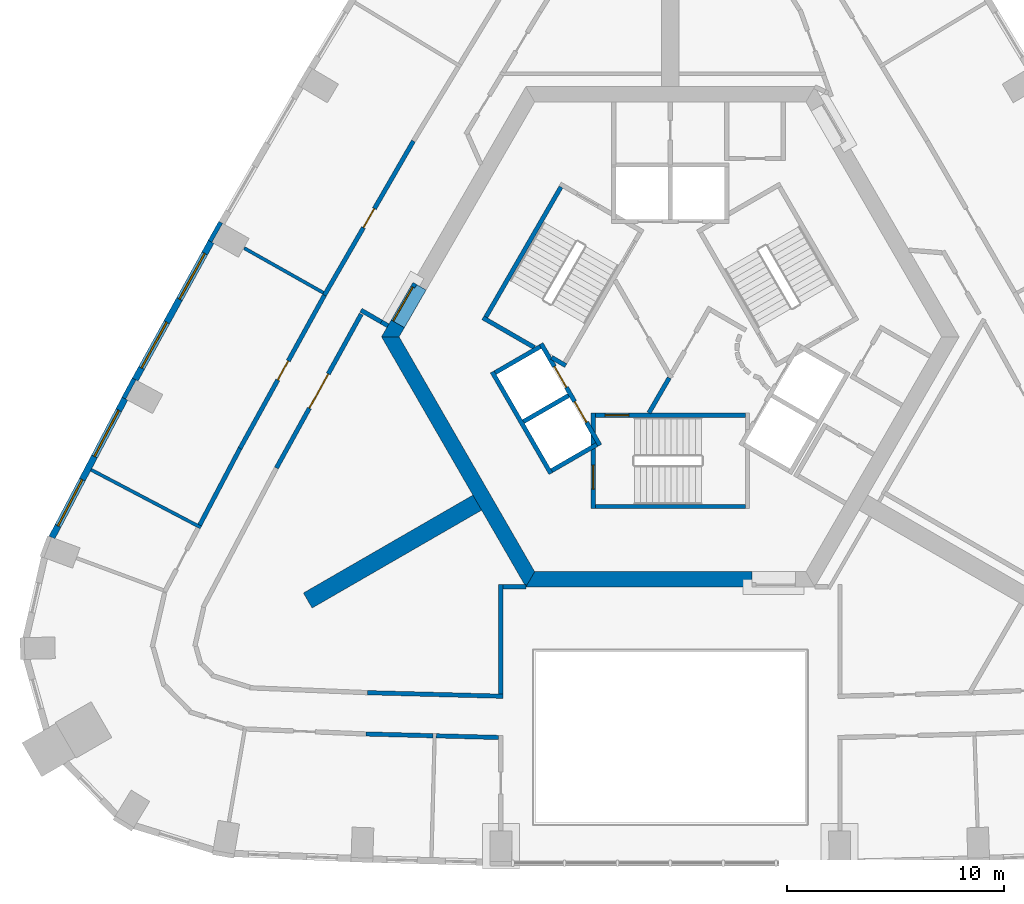
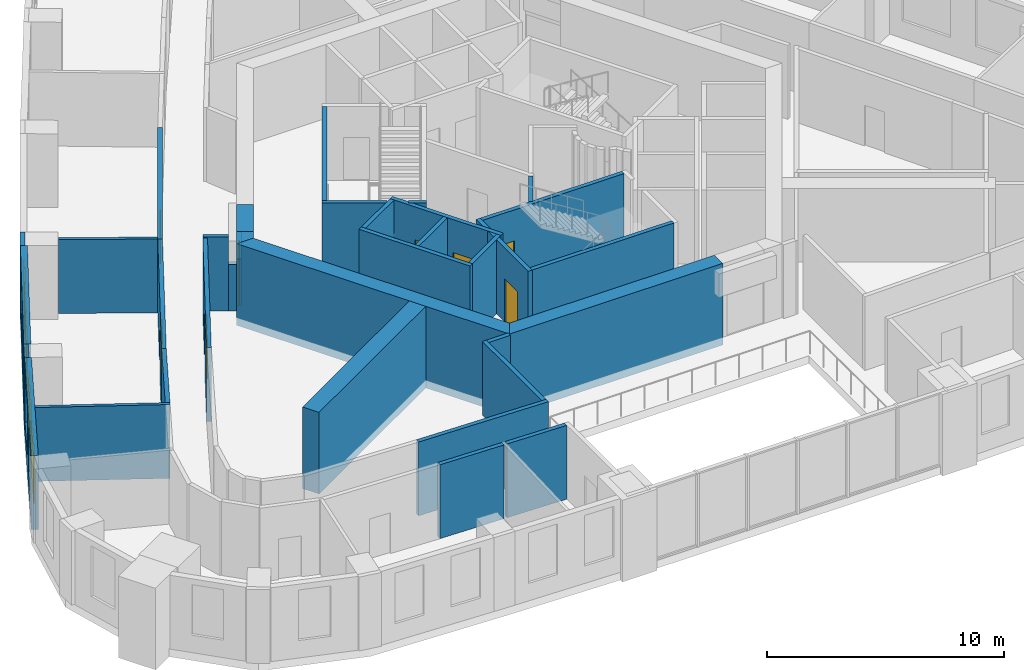
# One storey, part 4 of 11: 35 walls, 8 doors, 4 windows, 12 openings.
"""IFC4 building model written with IfcOpenShell, lengths in metres."""

import ifcopenshell
import ifcopenshell.guid

model = None  # the IFC model being written
_history = None  # IfcOwnerHistory: only IFC2X3 demands one
_inside = {}  # id of a spatial element -> (the spatial element, [elements in it])
_under = {}  # id of a project, library or spatial element -> (it, [spatial elements below it])
_declared = {}  # id of a project -> (the project, [libraries it declares])
_typed = {}  # id of a type object -> (the type object, [elements of that type])
_made_of = {}  # id of a material, layer set ... -> (it, [elements and type objects made of it])


def new_model(schema):
    """Start an empty IFC model of exactly this schema.

    Asked for "IFC4X3", IfcOpenShell would pick the latest addendum, in which some entities
    have other attributes; the version numbers below select the first issue.
    IFC2X3 requires an IfcOwnerHistory on every rooted entity: one is made here for all.
    """
    global model, _history
    if schema == "IFC4X3":
        model = ifcopenshell.file(schema_version=(4, 3, 0, 0))
    else:
        model = ifcopenshell.file(schema=schema)
    _inside.clear()
    _under.clear()
    _declared.clear()
    _typed.clear()
    _made_of.clear()
    _history = None
    if model.schema == "IFC2X3":
        org = make("IfcOrganization", Name="unknown")
        user = make(
            "IfcPersonAndOrganization",
            ThePerson=make("IfcPerson", FamilyName="unknown"),
            TheOrganization=org,
        )
        app = make(
            "IfcApplication",
            ApplicationDeveloper=org,
            Version="unknown",
            ApplicationFullName="unknown",
            ApplicationIdentifier="unknown",
        )
        _history = make(
            "IfcOwnerHistory",
            OwningUser=user,
            OwningApplication=app,
            ChangeAction="ADDED",
            CreationDate=0,
        )
    return model


def make(cls, **values):
    """One entity of the class cls with the attributes given. An attribute that is None is left unset."""
    return model.create_entity(
        cls, **{name: value for name, value in values.items() if value is not None}
    )


def rooted(cls, **values):
    """An entity with a GlobalId (a new one), such as an element, a storey or a relation."""
    return make(cls, GlobalId=ifcopenshell.guid.new(), OwnerHistory=_history, **values)


def si_unit(unit_type, name, prefix=None):
    """IfcSIUnit, for example si_unit("LENGTHUNIT", "METRE", prefix="MILLI")."""
    return make("IfcSIUnit", UnitType=unit_type, Prefix=prefix, Name=name)


def assignment(units):
    """IfcUnitAssignment: the units of a project."""
    return None if units is None else make("IfcUnitAssignment", Units=units)


def point(xyz):
    """IfcCartesianPoint."""
    return None if xyz is None else make("IfcCartesianPoint", Coordinates=xyz)


def direction(xyz):
    """IfcDirection."""
    return None if xyz is None else make("IfcDirection", DirectionRatios=xyz)


def frame(location, z_axis=None, x_axis=None):
    """IfcAxis2Placement3D, a coordinate frame: its origin and axes. An axis left out is left unset."""
    return make(
        "IfcAxis2Placement3D",
        Location=point(location),
        Axis=direction(z_axis),
        RefDirection=direction(x_axis),
    )


def frame_2d(location, x_axis=None):
    """IfcAxis2Placement2D, a coordinate frame in the plane: its origin and x axis."""
    return make(
        "IfcAxis2Placement2D", Location=point(location), RefDirection=direction(x_axis)
    )


def origin():
    """The frame at (0, 0, 0) with its axes left unset."""
    return frame((0.0, 0.0, 0.0))


def place(relative_to, where):
    """IfcLocalPlacement: puts the frame where relative to a parent placement (None: the world)."""
    return make(
        "IfcLocalPlacement", PlacementRelTo=relative_to, RelativePlacement=where
    )


def context(
    kind, dimensions, precision=None, world=None, true_north=None, identifier=None
):
    """IfcGeometricRepresentationContext, for example the 3D "Model" context."""
    return make(
        "IfcGeometricRepresentationContext",
        ContextIdentifier=identifier,
        ContextType=kind,
        CoordinateSpaceDimension=dimensions,
        Precision=precision,
        WorldCoordinateSystem=world,
        TrueNorth=true_north,
    )


def subcontext(parent, identifier, kind, view, scale=None):
    """IfcGeometricRepresentationSubContext, for example "Body" below "Model"."""
    return make(
        "IfcGeometricRepresentationSubContext",
        ContextIdentifier=identifier,
        ContextType=kind,
        ParentContext=parent,
        TargetScale=scale,
        TargetView=view,
    )


def project(units=None, contexts=None):
    """IfcProject with its units and contexts."""
    return rooted(
        "IfcProject",
        Name="project",
        RepresentationContexts=contexts,
        UnitsInContext=assignment(units),
    )


def spatial(cls, under=None, at=None, **own):
    """A site, building, storey or space (cls), placed at a placement, below another one or the project."""
    s = rooted(cls, ObjectPlacement=at, **own)
    if under is not None:
        _under.setdefault(under.id(), (under, []))[1].append(s)
    return s


def polyline(points):
    """IfcPolyline through the points."""
    return make("IfcPolyline", Points=[point(p) for p in points])


def profile(cls, at=None, kind="AREA", **sizes):
    """A parametric profile (cls). Its sizes go by their IFC names, for example OverallWidth=200.0."""
    return make(cls, ProfileType=kind, Position=at, **sizes)


def rectangle(**sizes):
    """IfcRectangleProfileDef."""
    return profile("IfcRectangleProfileDef", **sizes)


def outline(outer, holes=None, kind="AREA"):
    """IfcArbitraryClosedProfileDef: a profile drawn as a closed curve; with holes, ...WithVoids."""
    if holes is None:
        return make("IfcArbitraryClosedProfileDef", ProfileType=kind, OuterCurve=outer)
    return make(
        "IfcArbitraryProfileDefWithVoids",
        ProfileType=kind,
        OuterCurve=outer,
        InnerCurves=holes,
    )


def extrude(swept, where, along, depth):
    """IfcExtrudedAreaSolid: the profile swept, set in the frame where, extruded along a direction by depth."""
    return make(
        "IfcExtrudedAreaSolid",
        SweptArea=swept,
        Position=where,
        ExtrudedDirection=direction(along),
        Depth=depth,
    )


def shape(context_of_items, identifier, shape_type, items):
    """IfcShapeRepresentation: the items that make up one representation, for example the "Body"."""
    return make(
        "IfcShapeRepresentation",
        ContextOfItems=context_of_items,
        RepresentationIdentifier=identifier,
        RepresentationType=shape_type,
        Items=items,
    )


def material(Name=None, Category=None):
    """IfcMaterial."""
    return make("IfcMaterial", Name=Name, Category=Category)


def layer(
    of_material, thickness, ventilated=None, Name=None, Category=None, Priority=None
):
    """IfcMaterialLayer: one layer of a wall or slab, of a material (None: an air gap)."""
    return make(
        "IfcMaterialLayer",
        Material=of_material,
        LayerThickness=thickness,
        IsVentilated=ventilated,
        Name=Name,
        Category=Category,
        Priority=Priority,
    )


def layer_set(layers, Name=None):
    """IfcMaterialLayerSet."""
    return make("IfcMaterialLayerSet", MaterialLayers=layers, LayerSetName=Name)


def made_of(thing, what):
    """Note that an element or type object is made of a material, layer set ...; save() writes the relation."""
    if what is not None:
        _made_of.setdefault(what.id(), (what, []))[1].append(thing)
    return thing


def type_object(cls, material=None, **own):
    """A type object (cls), such as IfcWallType, which elements share."""
    return made_of(rooted(cls, **own), material)


def element(
    cls,
    number,
    at=None,
    inside=None,
    cuts=None,
    type_object=None,
    material=None,
    context=None,
    identifier="Body",
    shape_type=None,
    held_by="IfcProductDefinitionShape",
    body=None,
    shapes=None,
    **own,
):
    """One element of the class cls, such as IfcWall. Its Tag is "e" and its number.

    at: its placement. inside: the storey or other place that contains it. cuts: it is an
    opening in that element (IfcRelVoidsElement). A single representation is given by context,
    identifier, shape_type and body (its items); several are given by shapes. held_by: the class
    of the entity that holds the representations. save() writes the other relations.
    """
    e = rooted(cls, Tag="e%d" % number, ObjectPlacement=at, **own)
    if body is not None:
        shapes = [shape(context, identifier, shape_type, body)]
    if shapes is not None:
        e.Representation = make(held_by, Representations=shapes)
    if inside is not None:
        _inside.setdefault(inside.id(), (inside, []))[1].append(e)
    if cuts is not None:
        rooted(
            "IfcRelVoidsElement", RelatingBuildingElement=cuts, RelatedOpeningElement=e
        )
    if type_object is not None:
        _typed.setdefault(type_object.id(), (type_object, []))[1].append(e)
    return made_of(e, material)


def fill(opening, filler):
    """IfcRelFillsElement: the door or window that sits in an opening."""
    return rooted(
        "IfcRelFillsElement",
        RelatingOpeningElement=opening,
        RelatedBuildingElement=filler,
    )


def aggregate(whole, parts):
    """IfcRelAggregates: a whole, such as a stair, and the parts it consists of."""
    return rooted("IfcRelAggregates", RelatingObject=whole, RelatedObjects=parts)


def save(model, path):
    """Write the relations noted so far, then the file.

    IfcRelAggregates (storeys below a building ...), IfcRelContainedInSpatialStructure (elements
    in a storey), IfcRelDefinesByType, IfcRelAssociatesMaterial and IfcRelDeclares: one each for
    every whole, place, type object, material and project.
    """
    for whole, parts in _under.values():
        aggregate(whole, parts)
    for where, things in _inside.values():
        rooted(
            "IfcRelContainedInSpatialStructure",
            RelatedElements=things,
            RelatingStructure=where,
        )
    for kind, things in _typed.values():
        rooted("IfcRelDefinesByType", RelatedObjects=things, RelatingType=kind)
    for what, things in _made_of.values():
        rooted("IfcRelAssociatesMaterial", RelatedObjects=things, RelatingMaterial=what)
    for by, libraries in _declared.values():
        rooted("IfcRelDeclares", RelatingContext=by, RelatedDefinitions=libraries)
    model.write(path)


model = new_model("IFC4")

# Units and contexts
model_context = context("Model", 3, precision=1e-05, world=origin(), true_north=direction((0.0, 1.0)))
body_context = subcontext(model_context, "Body", "Model", "MODEL_VIEW")
ifc_project = project(units=[si_unit("LENGTHUNIT", "METRE"), si_unit("AREAUNIT", "SQUARE_METRE"), si_unit("VOLUMEUNIT", "CUBIC_METRE"), si_unit("PLANEANGLEUNIT", "RADIAN"), si_unit("MASSUNIT", "GRAM", prefix="KILO")], contexts=[model_context])

# Site, building, storey
site_placement = place(None, origin())
site = spatial("IfcSite", under=ifc_project, at=site_placement, CompositionType="ELEMENT")
building_placement = place(site_placement, origin())
building = spatial("IfcBuilding", under=site, at=building_placement, Name="Entoto Arch Interchange Tower", CompositionType="ELEMENT")
storey_placement = place(building_placement, frame((0.0, 0.0, 194.0)))
storey = spatial("IfcBuildingStorey", under=building, at=storey_placement, Name="L43", CompositionType="ELEMENT", Elevation=194.0)

# Wall
ifc_material_1 = material(Name="Concrete C50/60", Category="concrete")
ifc_layer_1 = layer(ifc_material_1, 0.800048828125)
ifc_layer_set_1 = layer_set([ifc_layer_1], Name="Concrete C50/60")
wall_type_1 = type_object("IfcWallType", Name="Buttress wall 800 C50/60", PredefinedType="SHEAR", material=ifc_layer_set_1)
wall_1_placement = place(storey_placement, frame((-8.876953125, -5.125, -0.39990234375), z_axis=(0.0, 0.0, 1.0), x_axis=(-0.866017533419, -0.500013631625, 0.0)))
element("IfcWall", 1, at=wall_1_placement, inside=storey, type_object=wall_type_1, Name="Buttress wall SW L43", PredefinedType="SHEAR", context=body_context, shape_type="SweptSolid", body=[
    extrude(rectangle(XDim=8.999755859375, YDim=0.800048828125, at=frame_2d((4.5, 0.0))), origin(), (0.0, 0.0, 1.0), 4.199951171875),
])

# Wall, opening, door
ifc_material_2 = material(Name="Reinforced concrete C40/50", Category="concrete")
ifc_layer_2 = layer(ifc_material_2, 0.199951171875)
ifc_layer_set_2 = layer_set([ifc_layer_2], Name="Reinforced concrete C40/50")
wall_type_2 = type_object("IfcWallType", Name="CORE GAP INFILL WALL", PredefinedType="PARTITIONING", material=ifc_layer_set_2)
wall_2_placement = place(storey_placement, frame((-11.7470703125, 4.951904296875, 0.0), z_axis=(0.0, 0.0, 1.0), x_axis=(-0.50002537861, -0.866010750942, 0.0)))
wall_2 = element("IfcWall", 2, at=wall_2_placement, inside=storey, type_object=wall_type_2, Name="wall:L43:gap3", PredefinedType="PARTITIONING", context=body_context, shape_type="SweptSolid", body=[
    extrude(rectangle(XDim=2.0, YDim=0.199951171875, at=frame_2d((1.0, 0.0))), origin(), (0.0, 0.0, 1.0), 2.39990234375),
])
opening_1_placement = place(wall_2_placement, frame((0.18994140625, 0.0, 0.0)))
opening_1 = element("IfcOpeningElement", 3, at=opening_1_placement, cuts=wall_2, Name="Opening L43-D93", PredefinedType="OPENING", context=body_context, shape_type="SweptSolid", body=[
    extrude(rectangle(XDim=1.800048828125, YDim=2.10009765625, at=frame_2d((0.89990234375, 1.050048828125))), frame((0.0, 0.10986328125, 0.0), z_axis=(0.0, -1.0, 0.0), x_axis=(1.0, 0.0, 0.0)), (0.0, 0.0, 1.0), 0.219970703125),
])
ifc_material_3 = material(Name="Fire-rated Steel S235 door and frame", Category="steel")
door_type_1 = type_object("IfcDoorType", Name="DOOR FD-18 1800x2100", OperationType="DOUBLE_DOOR_SINGLE_SWING", PredefinedType="DOOR", material=ifc_material_3)
door_1_placement = place(opening_1_placement, origin())
door_1 = element("IfcDoor", 4, at=door_1_placement, inside=storey, type_object=door_type_1, Name="door:L43:gap3", OperationType="DOUBLE_DOOR_SINGLE_SWING", OverallHeight=2.10009765625, OverallWidth=1.800048828125, PredefinedType="DOOR", context=body_context, shape_type="SweptSolid", body=[
    extrude(rectangle(XDim=1.800048828125, YDim=2.10009765625, at=frame_2d((0.89990234375, 1.050048828125))), frame((0.0, 0.02490234375, 0.0), z_axis=(0.0, -1.0, 0.0), x_axis=(1.0, 0.0, 0.0)), (0.0, 0.0, 1.0), 0.050048828125),
])
fill(opening_1, door_1)

# Walls
ifc_layer_3 = layer(ifc_material_1, 0.699951171875)
ifc_layer_set_3 = layer_set([ifc_layer_3], Name="Concrete C50/60")
wall_type_3 = type_object("IfcWallType", Name="Core wall 700 C50/60", PredefinedType="SHEAR", material=ifc_layer_set_3)
wall_3_placement = place(storey_placement, frame((0.0, 0.0, -0.39990234375)))
element("IfcWall", 5, at=wall_3_placement, inside=storey, type_object=wall_type_3, Name="Core wall NW L43", PredefinedType="SHEAR", context=body_context, shape_type="SweptSolid", body=[
    extrude(outline(polyline([(-12.22802734375, 2.919921875), (-12.833984375, 3.27001953125), (-13.279052734375, 2.5), (-12.470947265625, 2.5), (-12.22802734375, 2.919921875)])), origin(), (0.0, 0.0, 1.0), 4.199951171875),
])
wall_4_placement = place(storey_placement, frame((0.0, 0.0, 3.60009765625)))
element("IfcWall", 6, at=wall_4_placement, inside=storey, type_object=wall_type_3, Name="Core wall lintel NW L43", PredefinedType="SHEAR", context=body_context, shape_type="SweptSolid", body=[
    extrude(outline(polyline([(-12.833984375, 3.27001953125), (-12.22802734375, 2.919921875), (-11.22802734375, 4.652099609375), (-11.833984375, 5.001953125), (-12.833984375, 3.27001953125)])), origin(), (0.0, 0.0, 1.0), 0.199951171875),
])
wall_5_placement = place(storey_placement, frame((0.0, 0.0, -0.39990234375)))
element("IfcWall", 7, at=wall_5_placement, inside=storey, type_object=wall_type_3, Name="Core wall SW L43", PredefinedType="SHEAR", context=body_context, shape_type="SweptSolid", body=[
    extrude(outline(polyline([(-13.279052734375, 2.5), (-6.639892578125, -9.0), (-6.235107421875, -8.300048828125), (-12.470947265625, 2.5), (-13.279052734375, 2.5)])), origin(), (0.0, 0.0, 1.0), 4.199951171875),
])
wall_6_placement = place(storey_placement, frame((0.0, 0.0, -0.39990234375)))
element("IfcWall", 8, at=wall_6_placement, inside=storey, type_object=wall_type_3, Name="Core wall S L43", PredefinedType="SHEAR", context=body_context, shape_type="SweptSolid", body=[
    extrude(outline(polyline([(3.75, -9.0), (3.75, -8.300048828125), (-6.235107421875, -8.300048828125), (-6.639892578125, -9.0), (3.75, -9.0)])), origin(), (0.0, 0.0, 1.0), 4.199951171875),
])

# Wall, openings, doors
ifc_material_4 = material(Name="Concrete C40/50", Category="concrete")
ifc_layer_4 = layer(ifc_material_4, 0.199951171875)
ifc_layer_set_4 = layer_set([ifc_layer_4], Name="Concrete C40/50")
wall_type_4 = type_object("IfcWallType", Name="LIFT SHAFT WALL 200", PredefinedType="STANDARD", material=ifc_layer_set_4)
wall_7_placement = place(storey_placement, frame((-5.93994140625, 2.18798828125, 0.0), z_axis=(0.0, 0.0, 1.0), x_axis=(0.500034260056, -0.866005622828, 0.0)))
wall_7 = element("IfcWall", 9, at=wall_7_placement, inside=storey, type_object=wall_type_4, Name="Shaft wall SW1 front", PredefinedType="STANDARD", context=body_context, shape_type="SweptSolid", body=[
    extrude(rectangle(XDim=5.3994140625, YDim=0.199951171875, at=frame_2d((2.69970703125, 0.0))), origin(), (0.0, 0.0, 1.0), 3.800048828125),
])
opening_2_placement = place(wall_7_placement, frame((3.074951171875, 0.0, 0.0)))
opening_2 = element("IfcOpeningElement", 10, at=opening_2_placement, cuts=wall_7, Name="Opening LD-HR4-L43", PredefinedType="OPENING", context=body_context, shape_type="SweptSolid", body=[
    extrude(rectangle(XDim=1.10009765625, YDim=2.10009765625, at=frame_2d((0.550048828125, 1.050048828125))), frame((0.0, 0.10986328125, 0.0), z_axis=(0.0, -1.0, 0.0), x_axis=(1.0, 0.0, 0.0)), (0.0, 0.0, 1.0), 0.219970703125),
])
opening_3_placement = place(wall_7_placement, frame((1.22509765625, 0.0, 0.0)))
opening_3 = element("IfcOpeningElement", 11, at=opening_3_placement, cuts=wall_7, Name="Opening LD-FF2-L43", PredefinedType="OPENING", context=body_context, shape_type="SweptSolid", body=[
    extrude(rectangle(XDim=1.10009765625, YDim=2.10009765625, at=frame_2d((0.550048828125, 1.050048828125))), frame((0.0, 0.10986328125, 0.0), z_axis=(0.0, -1.0, 0.0), x_axis=(1.0, 0.0, 0.0)), (0.0, 0.0, 1.0), 0.219970703125),
])
ifc_material_5 = material(Name="Stainless steel 1.4301 panels", Category="steel")
door_type_2 = type_object("IfcDoorType", Name="LIFT LANDING DOOR LD1 1100x2100", OperationType="SLIDING_TO_LEFT", PredefinedType="DOOR", material=ifc_material_5)
door_2_placement = place(opening_2_placement, origin())
door_2 = element("IfcDoor", 12, at=door_2_placement, inside=storey, type_object=door_type_2, Name="Lift landing door HR4 L43", OperationType="SLIDING_TO_LEFT", OverallHeight=2.10009765625, OverallWidth=1.10009765625, PredefinedType="DOOR", context=body_context, shape_type="SweptSolid", body=[
    extrude(rectangle(XDim=1.10009765625, YDim=2.10009765625, at=frame_2d((0.550048828125, 1.050048828125))), frame((0.0, 0.02490234375, 0.0), z_axis=(0.0, -1.0, 0.0), x_axis=(1.0, 0.0, 0.0)), (0.0, 0.0, 1.0), 0.050048828125),
])
fill(opening_2, door_2)
door_3_placement = place(opening_3_placement, origin())
door_3 = element("IfcDoor", 13, at=door_3_placement, inside=storey, type_object=door_type_2, Name="Lift landing door FF2 L43", OperationType="SLIDING_TO_LEFT", OverallHeight=2.10009765625, OverallWidth=1.10009765625, PredefinedType="DOOR", context=body_context, shape_type="SweptSolid", body=[
    extrude(rectangle(XDim=1.10009765625, YDim=2.10009765625, at=frame_2d((0.550048828125, 1.050048828125))), frame((0.0, 0.02490234375, 0.0), z_axis=(0.0, -1.0, 0.0), x_axis=(1.0, 0.0, 0.0)), (0.0, 0.0, 1.0), 0.050048828125),
])
fill(opening_3, door_3)

# Walls
wall_8_placement = place(storey_placement, frame((-8.19189453125, 0.887939453125, 0.0), z_axis=(0.0, 0.0, 1.0), x_axis=(0.500034260056, -0.866005622828, 0.0)))
element("IfcWall", 14, at=wall_8_placement, inside=storey, type_object=wall_type_4, Name="Shaft wall SW1 back", PredefinedType="STANDARD", context=body_context, shape_type="SweptSolid", body=[
    extrude(rectangle(XDim=5.3994140625, YDim=0.199951171875, at=frame_2d((2.69970703125, 0.0))), origin(), (0.0, 0.0, 1.0), 3.800048828125),
])
for number, where, z_axis, x_axis, name in (
    (15, (-5.97705078125, 2.052001953125, 0.0), (0.0, 0.0, 1.0), (-0.865973769406, -0.500089422704, 0.0), "Shaft wall SW1 cross 1"),
    (16, (-4.677001953125, -0.199951171875, 0.0), (0.0, 0.0, 1.0), (-0.865973769406, -0.500089422704, 0.0), "Shaft wall SW1 cross 2"),
):
    element("IfcWall", number, at=place(storey_placement, frame(where, z_axis=z_axis, x_axis=x_axis)), inside=storey, type_object=wall_type_4, Name=name, PredefinedType="STANDARD", context=body_context, shape_type="SweptSolid", body=[
        extrude(rectangle(XDim=2.3994140625, YDim=0.199951171875, at=frame_2d((1.19970703125, 0.0))), origin(), (0.0, 0.0, 1.0), 3.800048828125),
    ])
wall_9_placement = place(storey_placement, frame((-3.376953125, -2.451904296875, 0.0), z_axis=(0.0, 0.0, 1.0), x_axis=(-0.865955154139, -0.50012165622, 0.0)))
element("IfcWall", 17, at=wall_9_placement, inside=storey, type_object=wall_type_4, Name="Shaft wall SW1 cross 3", PredefinedType="STANDARD", context=body_context, shape_type="SweptSolid", body=[
    extrude(rectangle(XDim=2.39990234375, YDim=0.199951171875, at=frame_2d((1.199951171875, 0.0))), origin(), (0.0, 0.0, 1.0), 3.800048828125),
])
ifc_material_6 = material(Name="Gypsum board partition on steel studs", Category="steel")
ifc_layer_5 = layer(ifc_material_6, 0.14990234375)
ifc_layer_set_5 = layer_set([ifc_layer_5], Name="Gypsum board partition on steel studs")
wall_type_5 = type_object("IfcWallType", Name="PARTITION 150", PredefinedType="PARTITIONING", material=ifc_layer_set_5)
wall_10_placement = place(storey_placement, frame((-15.9541015625, 4.52587890625, 0.0), z_axis=(0.0, 0.0, 1.0), x_axis=(-0.870940016277, 0.491389344663, 0.0)))
element("IfcWall", 18, at=wall_10_placement, inside=storey, type_object=wall_type_5, Name="wall:L43:p118", PredefinedType="PARTITIONING", context=body_context, shape_type="SweptSolid", body=[
    extrude(rectangle(XDim=4.180419921875, YDim=0.14990234375, at=frame_2d((2.09033203125, 0.0))), origin(), (0.0, 0.0, 1.0), 3.800048828125),
])
wall_11_placement = place(storey_placement, frame((-21.5849609375, -6.26708984375, 0.0), z_axis=(0.0, 0.0, 1.0), x_axis=(-0.885073333504, 0.465451602554, 0.0)))
element("IfcWall", 19, at=wall_11_placement, inside=storey, type_object=wall_type_5, Name="wall:L43:p119", PredefinedType="PARTITIONING", context=body_context, shape_type="SweptSolid", body=[
    extrude(rectangle(XDim=5.699951171875, YDim=0.14990234375, at=frame_2d((2.85009765625, 0.0))), origin(), (0.0, 0.0, 1.0), 3.800048828125),
])
ifc_layer_6 = layer(ifc_material_6, 0.199951171875)
ifc_layer_set_6 = layer_set([ifc_layer_6], Name="Gypsum board partition on steel studs")
wall_type_6 = type_object("IfcWallType", Name="PARTITION 200", PredefinedType="PARTITIONING", material=ifc_layer_set_6)
wall_12_placement = place(storey_placement, frame((-13.9189453125, -13.863037109375, 0.0), z_axis=(0.0, 0.0, 1.0), x_axis=(0.999652206272, -0.026371698764, 0.0)))
element("IfcWall", 20, at=wall_12_placement, inside=storey, type_object=wall_type_6, Name="wall:L43:p032", PredefinedType="PARTITIONING", context=body_context, shape_type="SweptSolid", body=[
    extrude(rectangle(XDim=6.22119140625, YDim=0.199951171875, at=frame_2d((3.110595703125, 0.0))), origin(), (0.0, 0.0, 1.0), 3.800048828125),
])
wall_13_placement = place(storey_placement, frame((-12.98388671875, 3.010009765625, 0.0), z_axis=(0.0, 0.0, 1.0), x_axis=(-0.866046247233, 0.49996389635, 0.0)))
element("IfcWall", 21, at=wall_13_placement, inside=storey, type_object=wall_type_6, Name="wall:L43:p033", PredefinedType="PARTITIONING", context=body_context, shape_type="SweptSolid", body=[
    extrude(rectangle(XDim=0.35009765625, YDim=0.199951171875, at=frame_2d((0.175048828125, 0.0))), origin(), (0.0, 0.0, 1.0), 2.39990234375),
])

# Wall, opening, door
wall_14_placement = place(storey_placement, frame((-14.212890625, 3.54296875, 0.0), z_axis=(0.0, 0.0, 1.0), x_axis=(-0.482724934882, -0.875772023556, 0.0)))
wall_14 = element("IfcWall", 22, at=wall_14_placement, inside=storey, type_object=wall_type_6, Name="wall:L43:p034", PredefinedType="PARTITIONING", context=body_context, shape_type="SweptSolid", body=[
    extrude(rectangle(XDim=8.077392578125, YDim=0.199951171875, at=frame_2d((4.03857421875, 0.0))), origin(), (0.0, 0.0, 1.0), 3.800048828125),
])
opening_4_placement = place(wall_14_placement, frame((3.138916015625, 0.0, 0.0)))
opening_4 = element("IfcOpeningElement", 23, at=opening_4_placement, cuts=wall_14, Name="Opening L43-D25", PredefinedType="OPENING", context=body_context, shape_type="SweptSolid", body=[
    extrude(rectangle(XDim=1.800048828125, YDim=2.10009765625, at=frame_2d((0.89990234375, 1.050048828125))), frame((0.0, 0.10986328125, 0.0), z_axis=(0.0, -1.0, 0.0), x_axis=(1.0, 0.0, 0.0)), (0.0, 0.0, 1.0), 0.219970703125),
])
ifc_material_7 = material(Name="Timber door leaf in Steel S235 frame", Category="steel")
door_type_3 = type_object("IfcDoorType", Name="DOOR DD-18 1800x2100", OperationType="DOUBLE_DOOR_SINGLE_SWING", PredefinedType="DOOR", material=ifc_material_7)
door_4_placement = place(opening_4_placement, origin())
door_4 = element("IfcDoor", 24, at=door_4_placement, inside=storey, type_object=door_type_3, Name="door:L43:25", OperationType="DOUBLE_DOOR_SINGLE_SWING", OverallHeight=2.10009765625, OverallWidth=1.800048828125, PredefinedType="DOOR", context=body_context, shape_type="SweptSolid", body=[
    extrude(rectangle(XDim=1.800048828125, YDim=2.10009765625, at=frame_2d((0.89990234375, 1.050048828125))), frame((0.0, 0.02490234375, 0.0), z_axis=(0.0, -1.0, 0.0), x_axis=(1.0, 0.0, 0.0)), (0.0, 0.0, 1.0), 0.050048828125),
])
fill(opening_4, door_4)

wall_15_placement = place(storey_placement, frame((-15.905029296875, 4.412109375, 0.0), z_axis=(0.0, 0.0, 1.0), x_axis=(0.5000098125, 0.866019738461, 0.0)))
wall_15 = element("IfcWall", 25, at=wall_15_placement, inside=storey, type_object=wall_type_6, Name="wall:L43:p054", PredefinedType="PARTITIONING", context=body_context, shape_type="SweptSolid", body=[
    extrude(rectangle(XDim=8.187744140625, YDim=0.199951171875, at=frame_2d((4.09375, 0.0))), origin(), (0.0, 0.0, 1.0), 3.800048828125),
])
opening_5_placement = place(wall_15_placement, frame((3.593994140625, 0.0, 0.0)))
opening_5 = element("IfcOpeningElement", 26, at=opening_5_placement, cuts=wall_15, Name="Opening L43-D11", PredefinedType="OPENING", context=body_context, shape_type="SweptSolid", body=[
    extrude(rectangle(XDim=1.0, YDim=2.10009765625, at=frame_2d((0.5, 1.050048828125))), frame((0.0, 0.10986328125, 0.0), z_axis=(0.0, -1.0, 0.0), x_axis=(1.0, 0.0, 0.0)), (0.0, 0.0, 1.0), 0.219970703125),
])
door_type_4 = type_object("IfcDoorType", Name="DOOR DS-10 1000x2100", OperationType="SINGLE_SWING_LEFT", PredefinedType="DOOR", material=ifc_material_7)
door_5_placement = place(opening_5_placement, origin())
door_5 = element("IfcDoor", 27, at=door_5_placement, inside=storey, type_object=door_type_4, Name="door:L43:11", OperationType="SINGLE_SWING_LEFT", OverallHeight=2.10009765625, OverallWidth=1.0, PredefinedType="DOOR", context=body_context, shape_type="SweptSolid", body=[
    extrude(rectangle(XDim=1.0, YDim=2.10009765625, at=frame_2d((0.5, 1.050048828125))), frame((0.0, 0.02490234375, 0.0), z_axis=(0.0, -1.0, 0.0), x_axis=(1.0, 0.0, 0.0)), (0.0, 0.0, 1.0), 0.050048828125),
])
fill(opening_5, door_5)

# Wall
wall_16_placement = place(storey_placement, frame((-21.637939453125, -6.154052734375, 0.0), z_axis=(0.0, 0.0, 1.0), x_axis=(0.465392595139, 0.885104362428, 0.0)))
element("IfcWall", 28, at=wall_16_placement, inside=storey, type_object=wall_type_6, Name="wall:L43:p056", PredefinedType="PARTITIONING", context=body_context, shape_type="SweptSolid", body=[
    extrude(rectangle(XDim=3.981689453125, YDim=0.199951171875, at=frame_2d((1.99072265625, 0.0))), origin(), (0.0, 0.0, 1.0), 3.800048828125),
])

# Wall, opening, door
wall_17_placement = place(storey_placement, frame((-19.784912109375, -2.6298828125, 0.0), z_axis=(0.0, 0.0, 1.0), x_axis=(0.482817232578, 0.875721142788, 0.0)))
wall_17 = element("IfcWall", 29, at=wall_17_placement, inside=storey, type_object=wall_type_6, Name="wall:L43:p057", PredefinedType="PARTITIONING", context=body_context, shape_type="SweptSolid", body=[
    extrude(rectangle(XDim=8.0400390625, YDim=0.199951171875, at=frame_2d((4.02001953125, 0.0))), origin(), (0.0, 0.0, 1.0), 3.800048828125),
])
opening_6_placement = place(wall_17_placement, frame((3.594970703125, 0.0, 0.0)))
opening_6 = element("IfcOpeningElement", 30, at=opening_6_placement, cuts=wall_17, Name="Opening L43-D12", PredefinedType="OPENING", context=body_context, shape_type="SweptSolid", body=[
    extrude(rectangle(XDim=1.0, YDim=2.10009765625, at=frame_2d((0.5, 1.050048828125))), frame((0.0, 0.10986328125, 0.0), z_axis=(0.0, -1.0, 0.0), x_axis=(1.0, 0.0, 0.0)), (0.0, 0.0, 1.0), 0.219970703125),
])
door_6_placement = place(opening_6_placement, origin())
door_6 = element("IfcDoor", 31, at=door_6_placement, inside=storey, type_object=door_type_4, Name="door:L43:12", OperationType="SINGLE_SWING_LEFT", OverallHeight=2.10009765625, OverallWidth=1.0, PredefinedType="DOOR", context=body_context, shape_type="SweptSolid", body=[
    extrude(rectangle(XDim=1.0, YDim=2.10009765625, at=frame_2d((0.5, 1.050048828125))), frame((0.0, 0.02490234375, 0.0), z_axis=(0.0, -1.0, 0.0), x_axis=(1.0, 0.0, 0.0)), (0.0, 0.0, 1.0), 0.050048828125),
])
fill(opening_6, door_6)

# Walls
wall_18_placement = place(storey_placement, frame((-10.912109375, -15.843017578125, 0.0), z_axis=(0.0, 0.0, 1.0), x_axis=(-0.999652047394, 0.026377720532, 0.0)))
element("IfcWall", 32, at=wall_18_placement, inside=storey, type_object=wall_type_6, Name="wall:L43:p063", PredefinedType="PARTITIONING", context=body_context, shape_type="SweptSolid", body=[
    extrude(rectangle(XDim=3.07275390625, YDim=0.199951171875, at=frame_2d((1.536376953125, 0.0))), origin(), (0.0, 0.0, 1.0), 3.800048828125),
])
wall_19_placement = place(storey_placement, frame((-7.89990234375, -15.922119140625, 0.0), z_axis=(0.0, 0.0, 1.0), x_axis=(-0.999655039681, 0.026264075085, 0.0)))
element("IfcWall", 33, at=wall_19_placement, inside=storey, type_object=wall_type_6, Name="wall:L43:p065", PredefinedType="PARTITIONING", context=body_context, shape_type="SweptSolid", body=[
    extrude(rectangle(XDim=2.863037109375, YDim=0.199951171875, at=frame_2d((1.431640625, 0.0))), origin(), (0.0, 0.0, 1.0), 3.800048828125),
])
wall_20_placement = place(storey_placement, frame((-0.98193359375, -1.0, 0.0), z_axis=(0.0, 0.0, 1.0), x_axis=(0.50024047865, 0.865886518847, 0.0)))
element("IfcWall", 34, at=wall_20_placement, inside=storey, type_object=wall_type_6, Name="wall:L43:p082", PredefinedType="PARTITIONING", context=body_context, shape_type="SweptSolid", body=[
    extrude(rectangle(XDim=1.86279296875, YDim=0.199951171875, at=frame_2d((0.931396484375, 0.0))), origin(), (0.0, 0.0, 1.0), 3.800048828125),
])
wall_21_placement = place(storey_placement, frame((-7.800048828125, -13.924072265625, 0.0), z_axis=(0.0, 0.0, 1.0), x_axis=(0.0, 1.0, 0.0)))
element("IfcWall", 35, at=wall_21_placement, inside=storey, type_object=wall_type_6, Name="wall:L43:p095", PredefinedType="PARTITIONING", context=body_context, shape_type="SweptSolid", body=[
    extrude(rectangle(XDim=5.025146484375, YDim=0.199951171875, at=frame_2d((2.5126953125, 0.0))), origin(), (0.0, 0.0, 1.0), 3.800048828125),
])
wall_22_placement = place(storey_placement, frame((-7.699951171875, -8.9990234375, 0.0), z_axis=(0.0, 0.0, 1.0), x_axis=(1.0, 0.0, 0.0)))
element("IfcWall", 36, at=wall_22_placement, inside=storey, type_object=wall_type_6, Name="wall:L43:p096", PredefinedType="PARTITIONING", context=body_context, shape_type="SweptSolid", body=[
    extrude(rectangle(XDim=1.058837890625, YDim=0.199951171875, at=frame_2d((0.529296875, 0.0))), origin(), (0.0, 0.0, 1.0), 3.800048828125),
])
wall_23_placement = place(storey_placement, frame((-13.287109375, 3.18505859375, 0.0), z_axis=(0.0, 0.0, 1.0), x_axis=(-0.866121626761, 0.499833299868, 0.0)))
element("IfcWall", 37, at=wall_23_placement, inside=storey, type_object=wall_type_6, Name="wall:L43:p033", PredefinedType="PARTITIONING", context=body_context, shape_type="SweptSolid", body=[
    extrude(rectangle(XDim=1.080322265625, YDim=0.199951171875, at=frame_2d((0.5400390625, 0.0))), origin(), (0.0, 0.0, 1.0), 3.800048828125),
])

# Wall, opening, door
ifc_layer_7 = layer(ifc_material_4, 0.199951171875)
ifc_layer_set_7 = layer_set([ifc_layer_7], Name="Concrete C40/50")
wall_type_7 = type_object("IfcWallType", Name="STAIR ENCLOSURE WALL 200", PredefinedType="STANDARD", material=ifc_layer_set_7)
wall_24_placement = place(storey_placement, frame((-3.550048828125, -1.0, 0.0), z_axis=(0.0, 0.0, 1.0), x_axis=(0.0, -1.0, 0.0)))
wall_24 = element("IfcWall", 38, at=wall_24_placement, inside=storey, type_object=wall_type_7, Name="Stair wall ST-S near", PredefinedType="STANDARD", context=body_context, shape_type="SweptSolid", body=[
    extrude(rectangle(XDim=4.39990234375, YDim=0.199951171875, at=frame_2d((2.199951171875, 0.0))), origin(), (0.0, 0.0, 1.0), 3.800048828125),
])
opening_7_placement = place(wall_24_placement, frame((2.39990234375, 0.0, 0.0)))
opening_7 = element("IfcOpeningElement", 39, at=opening_7_placement, cuts=wall_24, Name="Opening SD-ST-S-L43-E", PredefinedType="OPENING", context=body_context, shape_type="SweptSolid", body=[
    extrude(rectangle(XDim=1.10009765625, YDim=2.199951171875, at=frame_2d((0.550048828125, 1.10009765625))), frame((0.0, 0.10986328125, 0.0), z_axis=(0.0, -1.0, 0.0), x_axis=(1.0, 0.0, 0.0)), (0.0, 0.0, 1.0), 0.219970703125),
])
ifc_material_8 = material(Name="Steel S235", Category="steel")
door_type_5 = type_object("IfcDoorType", Name="STAIR DOOR SD1 1100x2200", OperationType="SINGLE_SWING_LEFT", PredefinedType="DOOR", material=ifc_material_8)
door_7_placement = place(opening_7_placement, origin())
door_7 = element("IfcDoor", 40, at=door_7_placement, inside=storey, type_object=door_type_5, Name="Stair door ST-S L43 end", OperationType="SINGLE_SWING_LEFT", OverallHeight=2.199951171875, OverallWidth=1.10009765625, PredefinedType="DOOR", context=body_context, shape_type="SweptSolid", body=[
    extrude(rectangle(XDim=1.10009765625, YDim=2.199951171875, at=frame_2d((0.550048828125, 1.10009765625))), frame((0.0, 0.02490234375, 0.0), z_axis=(0.0, -1.0, 0.0), x_axis=(1.0, 0.0, 0.0)), (0.0, 0.0, 1.0), 0.050048828125),
])
fill(opening_7, door_7)

wall_25_placement = place(storey_placement, frame((-3.449951171875, -1.10009765625, 0.0), z_axis=(0.0, 0.0, 1.0), x_axis=(1.0, 0.0, 0.0)))
wall_25 = element("IfcWall", 41, at=wall_25_placement, inside=storey, type_object=wall_type_7, Name="Stair wall ST-S hall", PredefinedType="STANDARD", context=body_context, shape_type="SweptSolid", body=[
    extrude(rectangle(XDim=6.89990234375, YDim=0.199951171875, at=frame_2d((3.449951171875, 0.0))), origin(), (0.0, 0.0, 1.0), 3.800048828125),
])
opening_8_placement = place(wall_25_placement, frame((0.449951171875, 0.0, 0.0)))
opening_8 = element("IfcOpeningElement", 42, at=opening_8_placement, cuts=wall_25, Name="Opening SD-ST-S-L43", PredefinedType="OPENING", context=body_context, shape_type="SweptSolid", body=[
    extrude(rectangle(XDim=1.10009765625, YDim=2.199951171875, at=frame_2d((0.550048828125, 1.10009765625))), frame((0.0, 0.10986328125, 0.0), z_axis=(0.0, -1.0, 0.0), x_axis=(1.0, 0.0, 0.0)), (0.0, 0.0, 1.0), 0.219970703125),
])
door_8_placement = place(opening_8_placement, origin())
door_8 = element("IfcDoor", 43, at=door_8_placement, inside=storey, type_object=door_type_5, Name="Stair door ST-S L43", OperationType="SINGLE_SWING_LEFT", OverallHeight=2.199951171875, OverallWidth=1.10009765625, PredefinedType="DOOR", context=body_context, shape_type="SweptSolid", body=[
    extrude(rectangle(XDim=1.10009765625, YDim=2.199951171875, at=frame_2d((0.550048828125, 1.10009765625))), frame((0.0, 0.02490234375, 0.0), z_axis=(0.0, -1.0, 0.0), x_axis=(1.0, 0.0, 0.0)), (0.0, 0.0, 1.0), 0.050048828125),
])
fill(opening_8, door_8)

# Walls
wall_26_placement = place(storey_placement, frame((-3.449951171875, -5.300048828125, 0.0), z_axis=(0.0, 0.0, 1.0), x_axis=(1.0, 0.0, 0.0)))
element("IfcWall", 44, at=wall_26_placement, inside=storey, type_object=wall_type_7, Name="Stair wall ST-S back", PredefinedType="STANDARD", context=body_context, shape_type="SweptSolid", body=[
    extrude(rectangle(XDim=6.89990234375, YDim=0.199951171875, at=frame_2d((3.449951171875, 0.0))), origin(), (0.0, 0.0, 1.0), 3.800048828125),
])
wall_27_placement = place(storey_placement, frame((-6.25, 2.010009765625, 0.0), z_axis=(0.0, 0.0, 1.0), x_axis=(-0.86611865017, 0.499838457731, 0.0)))
element("IfcWall", 45, at=wall_27_placement, inside=storey, type_object=wall_type_7, Name="Stair wall ST-NW far", PredefinedType="STANDARD", context=body_context, shape_type="SweptSolid", body=[
    extrude(rectangle(XDim=2.73291015625, YDim=0.199951171875, at=frame_2d((1.366455078125, 0.0))), origin(), (0.0, 0.0, 1.0), 3.800048828125),
])
wall_28_placement = place(storey_placement, frame((-4.805908203125, 1.176025390625, 0.0), z_axis=(0.0, 0.0, 1.0), x_axis=(-0.866558586415, 0.499075361355, 0.0)))
element("IfcWall", 46, at=wall_28_placement, inside=storey, type_object=wall_type_7, Name="Stair wall ST-NW far return", PredefinedType="STANDARD", context=body_context, shape_type="SweptSolid", body=[
    extrude(rectangle(XDim=0.75146484375, YDim=0.199951171875, at=frame_2d((0.375732421875, 0.0))), origin(), (0.0, 0.0, 1.0), 3.800048828125),
])
wall_29_placement = place(storey_placement, frame((-5.030029296875, 9.387939453125, 0.0), z_axis=(0.0, 0.0, 1.0), x_axis=(-0.499978703459, -0.866037698999, 0.0)))
element("IfcWall", 47, at=wall_29_placement, inside=storey, type_object=wall_type_7, Name="Stair wall ST-NW back", PredefinedType="STANDARD", context=body_context, shape_type="SweptSolid", body=[
    extrude(rectangle(XDim=6.900146484375, YDim=0.199951171875, at=frame_2d((3.4501953125, 0.0))), origin(), (0.0, 0.0, 1.0), 3.800048828125),
])

# Wall, openings, windows
ifc_material_9 = material(Name="Welded tuff (ignimbrite) cladding, warm buff", Category="masonry")
ifc_layer_8 = layer(ifc_material_9, 0.300048828125)
ifc_layer_set_8 = layer_set([ifc_layer_8], Name="Welded tuff (ignimbrite) cladding, warm buff")
wall_type_8 = type_object("IfcWallType", Name="STONE INFILL WALL 300", PredefinedType="STANDARD", material=ifc_layer_set_8)
wall_30_placement = place(storey_placement, frame((-21.115966796875, 6.864990234375, 0.0), z_axis=(0.0, 0.0, 1.0), x_axis=(-0.482862185961, -0.875696356832, 0.0)))
wall_30 = element("IfcWall", 48, at=wall_30_placement, inside=storey, type_object=wall_type_8, Name="Facade wall NW-04 L43", PredefinedType="STANDARD", context=body_context, shape_type="SweptSolid", body=[
    extrude(rectangle(XDim=7.229736328125, YDim=0.300048828125, at=frame_2d((3.61474609375, 0.0))), origin(), (0.0, 0.0, 1.0), 3.800048828125),
])
opening_9_placement = place(wall_30_placement, frame((0.60693359375, 0.0, 0.89990234375)))
opening_9 = element("IfcOpeningElement", 49, at=opening_9_placement, cuts=wall_30, Name="Opening WO-A", PredefinedType="OPENING", context=body_context, shape_type="SweptSolid", body=[
    extrude(rectangle(XDim=2.39990234375, YDim=2.60009765625, at=frame_2d((1.199951171875, 1.300048828125))), frame((0.0, 0.16015625, 0.0), z_axis=(0.0, -1.0, 0.0), x_axis=(1.0, 0.0, 0.0)), (0.0, 0.0, 1.0), 0.320068359375),
])
opening_10_placement = place(wall_30_placement, frame((4.221923828125, 0.0, 0.89990234375)))
opening_10 = element("IfcOpeningElement", 50, at=opening_10_placement, cuts=wall_30, Name="Opening WO-A", PredefinedType="OPENING", context=body_context, shape_type="SweptSolid", body=[
    extrude(rectangle(XDim=2.39990234375, YDim=2.60009765625, at=frame_2d((1.199951171875, 1.300048828125))), frame((0.0, 0.16015625, 0.0), z_axis=(0.0, -1.0, 0.0), x_axis=(1.0, 0.0, 0.0)), (0.0, 0.0, 1.0), 0.320068359375),
])
ifc_material_10 = material(Name="Clear glass, low-e double glazed", Category="glass")
window_type = type_object("IfcWindowType", Name="WINDOW WO-A 2400x2600", PartitioningType="DOUBLE_PANEL_VERTICAL", PredefinedType="WINDOW", material=ifc_material_10)
window_1_placement = place(opening_9_placement, origin())
window_1 = element("IfcWindow", 51, at=window_1_placement, inside=storey, type_object=window_type, Name="Window WO-A NW-04 L43", OverallHeight=2.60009765625, OverallWidth=2.39990234375, PartitioningType="SINGLE_PANEL", PredefinedType="WINDOW", context=body_context, shape_type="SweptSolid", body=[
    extrude(rectangle(XDim=2.39990234375, YDim=2.60009765625, at=frame_2d((1.199951171875, 1.300048828125))), frame((0.0, 0.030029296875, 0.0), z_axis=(0.0, -1.0, 0.0), x_axis=(1.0, 0.0, 0.0)), (0.0, 0.0, 1.0), 0.06005859375),
])
fill(opening_9, window_1)
window_2_placement = place(opening_10_placement, origin())
window_2 = element("IfcWindow", 52, at=window_2_placement, inside=storey, type_object=window_type, Name="Window WO-A NW-04 L43", OverallHeight=2.60009765625, OverallWidth=2.39990234375, PartitioningType="SINGLE_PANEL", PredefinedType="WINDOW", context=body_context, shape_type="SweptSolid", body=[
    extrude(rectangle(XDim=2.39990234375, YDim=2.60009765625, at=frame_2d((1.199951171875, 1.300048828125))), frame((0.0, 0.030029296875, 0.0), z_axis=(0.0, -1.0, 0.0), x_axis=(1.0, 0.0, 0.0)), (0.0, 0.0, 1.0), 0.06005859375),
])
fill(opening_10, window_2)

wall_31_placement = place(storey_placement, frame((-25.080078125, -0.344970703125, 0.0), z_axis=(0.0, 0.0, 1.0), x_axis=(-0.465478369088, -0.885059256723, 0.0)))
wall_31 = element("IfcWall", 53, at=wall_31_placement, inside=storey, type_object=wall_type_8, Name="Facade wall NW-05 L43", PredefinedType="STANDARD", context=body_context, shape_type="SweptSolid", body=[
    extrude(rectangle(XDim=7.20751953125, YDim=0.300048828125, at=frame_2d((3.603759765625, 0.0))), origin(), (0.0, 0.0, 1.0), 3.800048828125),
])
opening_11_placement = place(wall_31_placement, frame((0.60205078125, 0.0, 0.89990234375)))
opening_11 = element("IfcOpeningElement", 54, at=opening_11_placement, cuts=wall_31, Name="Opening WO-A", PredefinedType="OPENING", context=body_context, shape_type="SweptSolid", body=[
    extrude(rectangle(XDim=2.39990234375, YDim=2.60009765625, at=frame_2d((1.199951171875, 1.300048828125))), frame((0.0, 0.16015625, 0.0), z_axis=(0.0, -1.0, 0.0), x_axis=(1.0, 0.0, 0.0)), (0.0, 0.0, 1.0), 0.320068359375),
])
opening_12_placement = place(wall_31_placement, frame((4.2060546875, 0.0, 0.89990234375)))
opening_12 = element("IfcOpeningElement", 55, at=opening_12_placement, cuts=wall_31, Name="Opening WO-A", PredefinedType="OPENING", context=body_context, shape_type="SweptSolid", body=[
    extrude(rectangle(XDim=2.39990234375, YDim=2.60009765625, at=frame_2d((1.199951171875, 1.300048828125))), frame((0.0, 0.16015625, 0.0), z_axis=(0.0, -1.0, 0.0), x_axis=(1.0, 0.0, 0.0)), (0.0, 0.0, 1.0), 0.320068359375),
])
window_3_placement = place(opening_11_placement, origin())
window_3 = element("IfcWindow", 56, at=window_3_placement, inside=storey, type_object=window_type, Name="Window WO-A NW-05 L43", OverallHeight=2.60009765625, OverallWidth=2.39990234375, PartitioningType="SINGLE_PANEL", PredefinedType="WINDOW", context=body_context, shape_type="SweptSolid", body=[
    extrude(rectangle(XDim=2.39990234375, YDim=2.60009765625, at=frame_2d((1.199951171875, 1.300048828125))), frame((0.0, 0.030029296875, 0.0), z_axis=(0.0, -1.0, 0.0), x_axis=(1.0, 0.0, 0.0)), (0.0, 0.0, 1.0), 0.06005859375),
])
fill(opening_11, window_3)
window_4_placement = place(opening_12_placement, origin())
window_4 = element("IfcWindow", 57, at=window_4_placement, inside=storey, type_object=window_type, Name="Window WO-A NW-05 L43", OverallHeight=2.60009765625, OverallWidth=2.39990234375, PartitioningType="SINGLE_PANEL", PredefinedType="WINDOW", context=body_context, shape_type="SweptSolid", body=[
    extrude(rectangle(XDim=2.39990234375, YDim=2.60009765625, at=frame_2d((1.199951171875, 1.300048828125))), frame((0.0, 0.030029296875, 0.0), z_axis=(0.0, -1.0, 0.0), x_axis=(1.0, 0.0, 0.0)), (0.0, 0.0, 1.0), 0.06005859375),
])
fill(opening_12, window_4)

# Walls
ifc_layer_9 = layer(ifc_material_9, 0.199951171875)
ifc_layer_set_9 = layer_set([ifc_layer_9], Name="Welded tuff (ignimbrite) cladding, warm buff")
wall_type_9 = type_object("IfcWallType", Name="STONE PIER CLADDING 200", PredefinedType="STANDARD", material=ifc_layer_set_9)
wall_32_placement = place(storey_placement, frame((-20.673095703125, 7.761962890625, 0.0), z_axis=(0.0, 0.0, 1.0), x_axis=(-0.491848119507, -0.870681013539, 0.0)))
element("IfcWall", 58, at=wall_32_placement, inside=storey, type_object=wall_type_9, Name="Stone pier NW04 L43", PredefinedType="STANDARD", context=body_context, shape_type="SweptSolid", body=[
    extrude(rectangle(XDim=1.000244140625, YDim=0.199951171875, at=frame_2d((0.5, 0.0))), origin(), (0.0, 0.0, 1.0), 3.800048828125),
])
wall_33_placement = place(storey_placement, frame((-24.655029296875, 0.56103515625, 0.0), z_axis=(0.0, 0.0, 1.0), x_axis=(-0.473663196434, -0.88070606694, 0.0)))
element("IfcWall", 59, at=wall_33_placement, inside=storey, type_object=wall_type_9, Name="Stone pier NW05 L43", PredefinedType="STANDARD", context=body_context, shape_type="SweptSolid", body=[
    extrude(rectangle(XDim=1.00048828125, YDim=0.199951171875, at=frame_2d((0.500244140625, 0.0))), origin(), (0.0, 0.0, 1.0), 3.800048828125),
])

save(model, "model.ifc")
